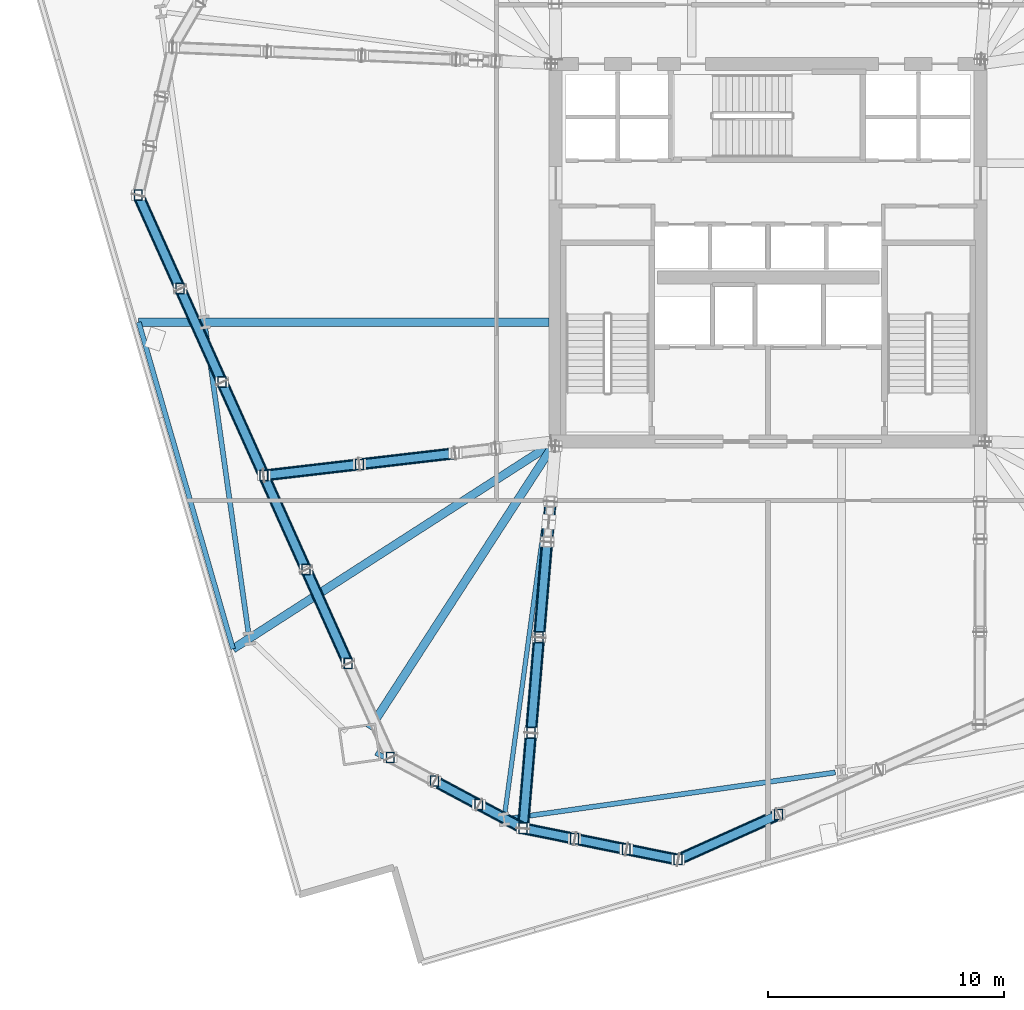
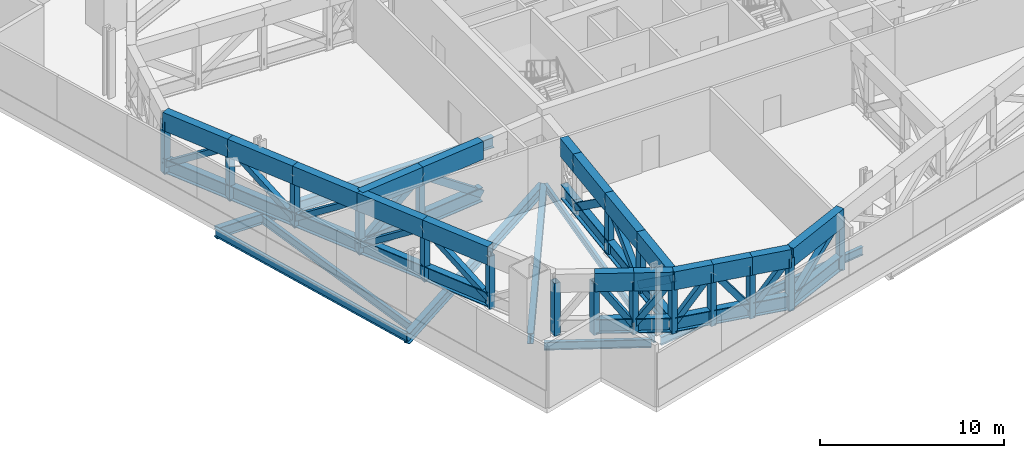
# One storey, part 2 of 19: 67 members, 8 beams.
"""IFC4 building model written with IfcOpenShell, lengths in metres."""

import ifcopenshell
import ifcopenshell.guid

model = None  # the IFC model being written
_history = None  # IfcOwnerHistory: only IFC2X3 demands one
_inside = {}  # id of a spatial element -> (the spatial element, [elements in it])
_under = {}  # id of a project, library or spatial element -> (it, [spatial elements below it])
_declared = {}  # id of a project -> (the project, [libraries it declares])
_typed = {}  # id of a type object -> (the type object, [elements of that type])
_made_of = {}  # id of a material, layer set ... -> (it, [elements and type objects made of it])


def new_model(schema):
    """Start an empty IFC model of exactly this schema.

    Asked for "IFC4X3", IfcOpenShell would pick the latest addendum, in which some entities
    have other attributes; the version numbers below select the first issue.
    IFC2X3 requires an IfcOwnerHistory on every rooted entity: one is made here for all.
    """
    global model, _history
    if schema == "IFC4X3":
        model = ifcopenshell.file(schema_version=(4, 3, 0, 0))
    else:
        model = ifcopenshell.file(schema=schema)
    _inside.clear()
    _under.clear()
    _declared.clear()
    _typed.clear()
    _made_of.clear()
    _history = None
    if model.schema == "IFC2X3":
        org = make("IfcOrganization", Name="unknown")
        user = make(
            "IfcPersonAndOrganization",
            ThePerson=make("IfcPerson", FamilyName="unknown"),
            TheOrganization=org,
        )
        app = make(
            "IfcApplication",
            ApplicationDeveloper=org,
            Version="unknown",
            ApplicationFullName="unknown",
            ApplicationIdentifier="unknown",
        )
        _history = make(
            "IfcOwnerHistory",
            OwningUser=user,
            OwningApplication=app,
            ChangeAction="ADDED",
            CreationDate=0,
        )
    return model


def make(cls, **values):
    """One entity of the class cls with the attributes given. An attribute that is None is left unset."""
    return model.create_entity(
        cls, **{name: value for name, value in values.items() if value is not None}
    )


def rooted(cls, **values):
    """An entity with a GlobalId (a new one), such as an element, a storey or a relation."""
    return make(cls, GlobalId=ifcopenshell.guid.new(), OwnerHistory=_history, **values)


def si_unit(unit_type, name, prefix=None):
    """IfcSIUnit, for example si_unit("LENGTHUNIT", "METRE", prefix="MILLI")."""
    return make("IfcSIUnit", UnitType=unit_type, Prefix=prefix, Name=name)


def assignment(units):
    """IfcUnitAssignment: the units of a project."""
    return None if units is None else make("IfcUnitAssignment", Units=units)


def point(xyz):
    """IfcCartesianPoint."""
    return None if xyz is None else make("IfcCartesianPoint", Coordinates=xyz)


def direction(xyz):
    """IfcDirection."""
    return None if xyz is None else make("IfcDirection", DirectionRatios=xyz)


def frame(location, z_axis=None, x_axis=None):
    """IfcAxis2Placement3D, a coordinate frame: its origin and axes. An axis left out is left unset."""
    return make(
        "IfcAxis2Placement3D",
        Location=point(location),
        Axis=direction(z_axis),
        RefDirection=direction(x_axis),
    )


def frame_2d(location, x_axis=None):
    """IfcAxis2Placement2D, a coordinate frame in the plane: its origin and x axis."""
    return make(
        "IfcAxis2Placement2D", Location=point(location), RefDirection=direction(x_axis)
    )


def origin():
    """The frame at (0, 0, 0) with its axes left unset."""
    return frame((0.0, 0.0, 0.0))


def origin_2d():
    """The frame at (0, 0) in the plane with its x axis left unset."""
    return frame_2d((0.0, 0.0))


def place(relative_to, where):
    """IfcLocalPlacement: puts the frame where relative to a parent placement (None: the world)."""
    return make(
        "IfcLocalPlacement", PlacementRelTo=relative_to, RelativePlacement=where
    )


def context(
    kind, dimensions, precision=None, world=None, true_north=None, identifier=None
):
    """IfcGeometricRepresentationContext, for example the 3D "Model" context."""
    return make(
        "IfcGeometricRepresentationContext",
        ContextIdentifier=identifier,
        ContextType=kind,
        CoordinateSpaceDimension=dimensions,
        Precision=precision,
        WorldCoordinateSystem=world,
        TrueNorth=true_north,
    )


def subcontext(parent, identifier, kind, view, scale=None):
    """IfcGeometricRepresentationSubContext, for example "Body" below "Model"."""
    return make(
        "IfcGeometricRepresentationSubContext",
        ContextIdentifier=identifier,
        ContextType=kind,
        ParentContext=parent,
        TargetScale=scale,
        TargetView=view,
    )


def project(units=None, contexts=None):
    """IfcProject with its units and contexts."""
    return rooted(
        "IfcProject",
        Name="project",
        RepresentationContexts=contexts,
        UnitsInContext=assignment(units),
    )


def spatial(cls, under=None, at=None, **own):
    """A site, building, storey or space (cls), placed at a placement, below another one or the project."""
    s = rooted(cls, ObjectPlacement=at, **own)
    if under is not None:
        _under.setdefault(under.id(), (under, []))[1].append(s)
    return s


def profile(cls, at=None, kind="AREA", **sizes):
    """A parametric profile (cls). Its sizes go by their IFC names, for example OverallWidth=200.0."""
    return make(cls, ProfileType=kind, Position=at, **sizes)


def hollow_rectangle(**sizes):
    """IfcRectangleHollowProfileDef."""
    return profile("IfcRectangleHollowProfileDef", **sizes)


def i_section(**sizes):
    """IfcIShapeProfileDef."""
    return profile("IfcIShapeProfileDef", **sizes)


def extrude(swept, where, along, depth):
    """IfcExtrudedAreaSolid: the profile swept, set in the frame where, extruded along a direction by depth."""
    return make(
        "IfcExtrudedAreaSolid",
        SweptArea=swept,
        Position=where,
        ExtrudedDirection=direction(along),
        Depth=depth,
    )


def shape(context_of_items, identifier, shape_type, items):
    """IfcShapeRepresentation: the items that make up one representation, for example the "Body"."""
    return make(
        "IfcShapeRepresentation",
        ContextOfItems=context_of_items,
        RepresentationIdentifier=identifier,
        RepresentationType=shape_type,
        Items=items,
    )


def material(Name=None, Category=None):
    """IfcMaterial."""
    return make("IfcMaterial", Name=Name, Category=Category)


def material_profile(
    of_material, cross_section, Name=None, Category=None, Priority=None
):
    """IfcMaterialProfile: a cross section and its material."""
    return make(
        "IfcMaterialProfile",
        Name=Name,
        Material=of_material,
        Profile=cross_section,
        Priority=Priority,
        Category=Category,
    )


def profile_set(profiles, Name=None, composite=None):
    """IfcMaterialProfileSet."""
    return make(
        "IfcMaterialProfileSet",
        Name=Name,
        MaterialProfiles=profiles,
        CompositeProfile=composite,
    )


def made_of(thing, what):
    """Note that an element or type object is made of a material, layer set ...; save() writes the relation."""
    if what is not None:
        _made_of.setdefault(what.id(), (what, []))[1].append(thing)
    return thing


def type_object(cls, material=None, **own):
    """A type object (cls), such as IfcWallType, which elements share."""
    return made_of(rooted(cls, **own), material)


def element(
    cls,
    number,
    at=None,
    inside=None,
    cuts=None,
    type_object=None,
    material=None,
    context=None,
    identifier="Body",
    shape_type=None,
    held_by="IfcProductDefinitionShape",
    body=None,
    shapes=None,
    **own,
):
    """One element of the class cls, such as IfcWall. Its Tag is "e" and its number.

    at: its placement. inside: the storey or other place that contains it. cuts: it is an
    opening in that element (IfcRelVoidsElement). A single representation is given by context,
    identifier, shape_type and body (its items); several are given by shapes. held_by: the class
    of the entity that holds the representations. save() writes the other relations.
    """
    e = rooted(cls, Tag="e%d" % number, ObjectPlacement=at, **own)
    if body is not None:
        shapes = [shape(context, identifier, shape_type, body)]
    if shapes is not None:
        e.Representation = make(held_by, Representations=shapes)
    if inside is not None:
        _inside.setdefault(inside.id(), (inside, []))[1].append(e)
    if cuts is not None:
        rooted(
            "IfcRelVoidsElement", RelatingBuildingElement=cuts, RelatedOpeningElement=e
        )
    if type_object is not None:
        _typed.setdefault(type_object.id(), (type_object, []))[1].append(e)
    return made_of(e, material)


def aggregate(whole, parts):
    """IfcRelAggregates: a whole, such as a stair, and the parts it consists of."""
    return rooted("IfcRelAggregates", RelatingObject=whole, RelatedObjects=parts)


def save(model, path):
    """Write the relations noted so far, then the file.

    IfcRelAggregates (storeys below a building ...), IfcRelContainedInSpatialStructure (elements
    in a storey), IfcRelDefinesByType, IfcRelAssociatesMaterial and IfcRelDeclares: one each for
    every whole, place, type object, material and project.
    """
    for whole, parts in _under.values():
        aggregate(whole, parts)
    for where, things in _inside.values():
        rooted(
            "IfcRelContainedInSpatialStructure",
            RelatedElements=things,
            RelatingStructure=where,
        )
    for kind, things in _typed.values():
        rooted("IfcRelDefinesByType", RelatedObjects=things, RelatingType=kind)
    for what, things in _made_of.values():
        rooted("IfcRelAssociatesMaterial", RelatedObjects=things, RelatingMaterial=what)
    for by, libraries in _declared.values():
        rooted("IfcRelDeclares", RelatingContext=by, RelatedDefinitions=libraries)
    model.write(path)


model = new_model("IFC4")

# Units and contexts
model_context = context("Model", 3, precision=1e-05, world=origin(), true_north=direction((0.0, 1.0)))
body_context = subcontext(model_context, "Body", "Model", "MODEL_VIEW")
ifc_project = project(units=[si_unit("LENGTHUNIT", "METRE"), si_unit("AREAUNIT", "SQUARE_METRE"), si_unit("VOLUMEUNIT", "CUBIC_METRE"), si_unit("PLANEANGLEUNIT", "RADIAN"), si_unit("MASSUNIT", "GRAM", prefix="KILO")], contexts=[model_context])

# Site, building, storey
site_placement = place(None, origin())
site = spatial("IfcSite", under=ifc_project, at=site_placement, CompositionType="ELEMENT")
building_placement = place(site_placement, origin())
building = spatial("IfcBuilding", under=site, at=building_placement, Name="Haldenkirk Collegiate Tower", CompositionType="ELEMENT")
storey_placement = place(building_placement, frame((0.0, 0.0, 81.449951171875)))
storey = spatial("IfcBuildingStorey", under=building, at=storey_placement, Name="L19", CompositionType="ELEMENT", Elevation=81.449951171875)

# Beams
ifc_material_1 = material(Name="Steel ASTM A992 Grade 50", Category="steel")
ifc_material_profile_1 = material_profile(ifc_material_1, i_section(OverallWidth=0.35498046875, OverallDepth=0.696044921875, WebThickness=0.015380859375, FlangeThickness=0.02490234375, at=origin_2d()), Name="W27X146")
ifc_profile_set_1 = profile_set([ifc_material_profile_1], Name="Steel ASTM A992 Grade 50")
beam_type_1 = type_object("IfcBeamType", Name="BM-GIRDER-W27X146", PredefinedType="BEAM", material=ifc_profile_set_1)
beam_1_placement = place(storey_placement, frame((19.1201171875, 5.826416015625, -0.758056640625), z_axis=(0.54339434448, 0.839477567531, 0.0), x_axis=(-0.839477567531, 0.54339434448, 0.0)))
element("IfcBeam", 1, at=beam_1_placement, inside=storey, type_object=beam_type_1, Name="L19 primary floor girder 01", PredefinedType="BEAM", context=body_context, shape_type="SweptSolid", body=[
    extrude(i_section(OverallWidth=0.35498046875, OverallDepth=0.696044921875, WebThickness=0.015380859375, FlangeThickness=0.02490234375, at=origin_2d()), origin(), (0.0, 0.0, 1.0), 14.221435546875),
])
beam_2_placement = place(storey_placement, frame((9.341796875, 23.052978515625, -0.758056640625), z_axis=(1.0, 0.0, 0.0), x_axis=(0.0, 1.0, 0.0)))
element("IfcBeam", 2, at=beam_2_placement, inside=storey, type_object=beam_type_1, Name="L19 primary floor girder 15", PredefinedType="BEAM", context=body_context, shape_type="SweptSolid", body=[
    extrude(i_section(OverallWidth=0.35498046875, OverallDepth=0.696044921875, WebThickness=0.015380859375, FlangeThickness=0.02490234375, at=origin_2d()), origin(), (0.0, 0.0, 1.0), 17.378173828125),
])
beam_3_placement = place(storey_placement, frame((13.335693359375, 9.2158203125, -0.758056640625), z_axis=(0.841176487832, 0.540760683037, 0.0), x_axis=(-0.540760683037, 0.841176487832, 0.0)))
element("IfcBeam", 3, at=beam_3_placement, inside=storey, type_object=beam_type_1, Name="L19 primary floor girder 16", PredefinedType="BEAM", context=body_context, shape_type="SweptSolid", body=[
    extrude(i_section(OverallWidth=0.35498046875, OverallDepth=0.696044921875, WebThickness=0.015380859375, FlangeThickness=0.02490234375, at=origin_2d()), origin(), (0.0, 0.0, 1.0), 15.964111328125),
])
ifc_material_profile_2 = material_profile(ifc_material_1, i_section(OverallWidth=0.19189453125, OverallDepth=0.462890625, WebThickness=0.010498046875, FlangeThickness=0.017578125, at=origin_2d()), Name="W18X60")
ifc_profile_set_2 = profile_set([ifc_material_profile_2], Name="Steel ASTM A992 Grade 50")
beam_type_2 = type_object("IfcBeamType", Name="BM-JOIST-W18X60", PredefinedType="JOIST", material=ifc_profile_set_2)
beam_4_placement = place(storey_placement, frame((24.850830078125, 2.25927734375, -0.641357421875), z_axis=(0.135282136316, 0.99080711725, 0.0), x_axis=(-0.99080711725, 0.135282136316, 0.0)))
element("IfcBeam", 4, at=beam_4_placement, inside=storey, type_object=beam_type_2, Name="L19 composite floor joist 05", PredefinedType="JOIST", context=body_context, shape_type="SweptSolid", body=[
    extrude(i_section(OverallWidth=0.19189453125, OverallDepth=0.462890625, WebThickness=0.010498046875, FlangeThickness=0.017578125, at=origin_2d()), origin(), (0.0, 0.0, 1.0), 15.60693359375),
])
ifc_material_profile_3 = material_profile(ifc_material_1, i_section(OverallWidth=0.2119140625, OverallDepth=0.5439453125, WebThickness=0.01318359375, FlangeThickness=0.021240234375, at=origin_2d()), Name="W21X83")
ifc_profile_set_3 = profile_set([ifc_material_profile_3], Name="Steel ASTM A992 Grade 50")
beam_type_3 = type_object("IfcBeamType", Name="BM-SPANDREL-W21X83", PredefinedType="SPANDREL", material=ifc_profile_set_3)
beam_5_placement = place(storey_placement, frame((19.388671875, 4.8125, -0.681884765625), z_axis=(0.887640153988, -0.460537682528, 0.0), x_axis=(0.460537682528, 0.887640153988, 0.0)))
element("IfcBeam", 5, at=beam_5_placement, inside=storey, type_object=beam_type_3, Name="L19 perimeter spandrel beam 01", PredefinedType="SPANDREL", context=body_context, shape_type="SweptSolid", body=[
    extrude(i_section(OverallWidth=0.2119140625, OverallDepth=0.5439453125, WebThickness=0.01318359375, FlangeThickness=0.021240234375, at=origin_2d()), origin(), (0.0, 0.0, 1.0), 5.848876953125),
])
beam_6_placement = place(storey_placement, frame((25.076904296875, 2.0341796875, -0.681884765625), z_axis=(0.990146197746, 0.14003752029, 0.0), x_axis=(-0.14003752029, 0.990146197746, 0.0)))
element("IfcBeam", 6, at=beam_6_placement, inside=storey, type_object=beam_type_3, Name="L19 perimeter spandrel beam 02", PredefinedType="SPANDREL", context=body_context, shape_type="SweptSolid", body=[
    extrude(i_section(OverallWidth=0.2119140625, OverallDepth=0.5439453125, WebThickness=0.01318359375, FlangeThickness=0.021240234375, at=origin_2d()), origin(), (0.0, 0.0, 1.0), 13.906982421875),
])
beam_7_placement = place(storey_placement, frame((12.16455078125, 22.791015625, -0.681884765625), z_axis=(0.140043508171, -0.990145350855, 0.0), x_axis=(0.990145350855, 0.140043508171, 0.0)))
element("IfcBeam", 7, at=beam_7_placement, inside=storey, type_object=beam_type_3, Name="L19 perimeter spandrel beam 15", PredefinedType="SPANDREL", context=body_context, shape_type="SweptSolid", body=[
    extrude(i_section(OverallWidth=0.2119140625, OverallDepth=0.5439453125, WebThickness=0.01318359375, FlangeThickness=0.021240234375, at=origin_2d()), origin(), (0.0, 0.0, 1.0), 13.0),
])
beam_8_placement = place(storey_placement, frame((9.341796875, 23.052978515625, -0.681884765625), z_axis=(0.277315037311, -0.960779043319, 0.0), x_axis=(0.960779043319, 0.277315037311, 0.0)))
element("IfcBeam", 8, at=beam_8_placement, inside=storey, type_object=beam_type_3, Name="L19 outer facade edge beam 4", PredefinedType="SPANDREL", context=body_context, shape_type="SweptSolid", body=[
    extrude(i_section(OverallWidth=0.2119140625, OverallDepth=0.5439453125, WebThickness=0.01318359375, FlangeThickness=0.021240234375, at=origin_2d()), origin(), (0.0, 0.0, 1.0), 14.402099609375),
])

# Members
ifc_material_2 = material(Name="Steel ASTM A572 Grade 50", Category="steel")
ifc_material_profile_4 = material_profile(ifc_material_2, hollow_rectangle(XDim=0.5, YDim=1.199951171875, WallThickness=0.050048828125, at=origin_2d()), Name="BOX1200X500X50")
ifc_profile_set_4 = profile_set([ifc_material_profile_4], Name="Steel ASTM A572 Grade 50")
member_type_1 = type_object("IfcMemberType", Name="MBR-CHORD-BOX1200", PredefinedType="CHORD", material=ifc_profile_set_4)
member_1_placement = place(storey_placement, frame((26.78466796875, 15.449951171875, 3.489990234375), z_axis=(-0.084102529775, -0.996457106194, 0.0), x_axis=(0.996457106194, -0.084102529775, 0.0)))
element("IfcMember", 9, at=member_1_placement, inside=storey, type_object=member_type_1, Name="Outrigger Truss L19 Radial 01 top chord 2", PredefinedType="CHORD", context=body_context, shape_type="SweptSolid", body=[
    extrude(hollow_rectangle(XDim=0.5, YDim=1.199951171875, WallThickness=0.050048828125, at=origin_2d()), origin(), (0.0, 0.0, 1.0), 1.701171875),
])
for number, where, z_axis, x_axis, name in (
    (10, (26.6416015625, 13.7548828125, 3.489990234375), (-0.084185033794, -0.996450139287, 0.0), (0.996450139287, -0.084185033794, 0.0), "Outrigger Truss L19 Radial 01 top chord 3"),
    (11, (26.2998046875, 9.709228515625, 3.489990234375), (-0.084125327338, -0.996455181782, 0.0), (0.996455181782, -0.084125327338, 0.0), "Outrigger Truss L19 Radial 01 top chord 4"),
    (12, (25.958251953125, 5.66357421875, 3.489990234375), (-0.084125327338, -0.996455181782, 0.0), (0.996455181782, -0.084125327338, 0.0), "Outrigger Truss L19 Radial 01 top chord 5"),
):
    element("IfcMember", number, at=place(storey_placement, frame(where, z_axis=z_axis, x_axis=x_axis)), inside=storey, type_object=member_type_1, Name=name, PredefinedType="CHORD", context=body_context, shape_type="SweptSolid", body=[
        extrude(hollow_rectangle(XDim=0.5, YDim=1.199951171875, WallThickness=0.050048828125, at=origin_2d()), origin(), (0.0, 0.0, 1.0), 4.06005859375),
    ])
member_2_placement = place(storey_placement, frame((22.748291015625, 17.5048828125, 3.489990234375), z_axis=(-0.993289169005, -0.11565736785, 0.0), x_axis=(0.11565736785, -0.993289169005, 0.0)))
element("IfcMember", 13, at=member_2_placement, inside=storey, type_object=member_type_1, Name="Outrigger Truss L19 Radial 08 top chord 3", PredefinedType="CHORD", context=body_context, shape_type="SweptSolid", body=[
    extrude(hollow_rectangle(XDim=0.5, YDim=1.199951171875, WallThickness=0.050048828125, at=origin_2d()), origin(), (0.0, 0.0, 1.0), 4.080322265625),
])
member_3_placement = place(storey_placement, frame((18.6953125, 17.032958984375, 3.489990234375), z_axis=(-0.993281492352, -0.115723277482, 0.0), x_axis=(0.115723277482, -0.993281492352, 0.0)))
element("IfcMember", 14, at=member_3_placement, inside=storey, type_object=member_type_1, Name="Outrigger Truss L19 Radial 08 top chord 4", PredefinedType="CHORD", context=body_context, shape_type="SweptSolid", body=[
    extrude(hollow_rectangle(XDim=0.5, YDim=1.199951171875, WallThickness=0.050048828125, at=origin_2d()), origin(), (0.0, 0.0, 1.0), 4.080078125),
])
for number, where, z_axis, x_axis, name in (
    (15, (25.61669921875, 1.617919921875, 3.489990234375), (0.980064236837, -0.198680878984, 0.0), (0.198680878984, 0.980064236837, 0.0), "Belt Truss L19-01 top chord 1"),
    (16, (27.804931640625, 1.17431640625, 3.489990234375), (0.980064236837, -0.198680878984, 0.0), (0.198680878984, 0.980064236837, 0.0), "Belt Truss L19-01 top chord 2"),
    (17, (29.9931640625, 0.730712890625, 3.489990234375), (0.980085523441, -0.19857584632, 0.0), (0.19857584632, 0.980085523441, 0.0), "Belt Truss L19-01 top chord 3"),
):
    element("IfcMember", number, at=place(storey_placement, frame(where, z_axis=z_axis, x_axis=x_axis)), inside=storey, type_object=member_type_1, Name=name, PredefinedType="CHORD", context=body_context, shape_type="SweptSolid", body=[
        extrude(hollow_rectangle(XDim=0.5, YDim=1.199951171875, WallThickness=0.050048828125, at=origin_2d()), origin(), (0.0, 0.0, 1.0), 2.232666015625),
    ])
member_4_placement = place(storey_placement, frame((32.181396484375, 0.287353515625, 3.489990234375), z_axis=(0.91249114781, 0.409096449714, 0.0), x_axis=(-0.409096449714, 0.91249114781, 0.0)))
element("IfcMember", 18, at=member_4_placement, inside=storey, type_object=member_type_1, Name="Belt Truss L19-02 top chord 1", PredefinedType="CHORD", context=body_context, shape_type="SweptSolid", body=[
    extrude(hollow_rectangle(XDim=0.5, YDim=1.199951171875, WallThickness=0.050048828125, at=origin_2d()), origin(), (0.0, 0.0, 1.0), 4.66796875),
])
member_5_placement = place(storey_placement, frame((9.317626953125, 28.436767578125, 3.489990234375), z_axis=(0.409133464518, -0.91247455209, 0.0), x_axis=(0.91247455209, 0.409133464518, 0.0)))
element("IfcMember", 19, at=member_5_placement, inside=storey, type_object=member_type_1, Name="Belt Truss L19-14 top chord 1", PredefinedType="CHORD", context=body_context, shape_type="SweptSolid", body=[
    extrude(hollow_rectangle(XDim=0.5, YDim=1.199951171875, WallThickness=0.050048828125, at=origin_2d()), origin(), (0.0, 0.0, 1.0), 4.338134765625),
])
member_6_placement = place(storey_placement, frame((11.092529296875, 24.478271484375, 3.489990234375), z_axis=(0.409159309645, -0.912462963265, 0.0), x_axis=(0.912462963265, 0.409159309645, 0.0)))
element("IfcMember", 20, at=member_6_placement, inside=storey, type_object=member_type_1, Name="Belt Truss L19-14 top chord 2", PredefinedType="CHORD", context=body_context, shape_type="SweptSolid", body=[
    extrude(hollow_rectangle(XDim=0.5, YDim=1.199951171875, WallThickness=0.050048828125, at=origin_2d()), origin(), (0.0, 0.0, 1.0), 4.338623046875),
])
member_7_placement = place(storey_placement, frame((12.86767578125, 20.51953125, 3.489990234375), z_axis=(0.409112455957, -0.912483971575, 0.0), x_axis=(0.912483971575, 0.409112455957, 0.0)))
element("IfcMember", 21, at=member_7_placement, inside=storey, type_object=member_type_1, Name="Belt Truss L19-14 top chord 3", PredefinedType="CHORD", context=body_context, shape_type="SweptSolid", body=[
    extrude(hollow_rectangle(XDim=0.5, YDim=1.199951171875, WallThickness=0.050048828125, at=origin_2d()), origin(), (0.0, 0.0, 1.0), 4.33837890625),
])
member_8_placement = place(storey_placement, frame((14.642578125, 16.560791015625, 3.489990234375), z_axis=(0.409133050594, -0.912474737684, 0.0), x_axis=(0.912474737684, 0.409133050594, 0.0)))
element("IfcMember", 22, at=member_8_placement, inside=storey, type_object=member_type_1, Name="Belt Truss L19-15 top chord 1", PredefinedType="CHORD", context=body_context, shape_type="SweptSolid", body=[
    extrude(hollow_rectangle(XDim=0.5, YDim=1.199951171875, WallThickness=0.050048828125, at=origin_2d()), origin(), (0.0, 0.0, 1.0), 4.361572265625),
])
member_9_placement = place(storey_placement, frame((16.427001953125, 12.5810546875, 3.489990234375), z_axis=(0.409112154166, -0.912484106883, 0.0), x_axis=(0.912484106883, 0.409112154166, 0.0)))
element("IfcMember", 23, at=member_9_placement, inside=storey, type_object=member_type_1, Name="Belt Truss L19-15 top chord 2", PredefinedType="CHORD", context=body_context, shape_type="SweptSolid", body=[
    extrude(hollow_rectangle(XDim=0.5, YDim=1.199951171875, WallThickness=0.050048828125, at=origin_2d()), origin(), (0.0, 0.0, 1.0), 4.36181640625),
])
for number, where, z_axis, x_axis, name in (
    (24, (21.869384765625, 3.6201171875, 3.489990234375), (0.881961322467, -0.471321785697, 0.0), (0.471321785697, 0.881961322467, 0.0), "Belt Truss L19-16 top chord 2"),
    (25, (23.742919921875, 2.618896484375, 3.489990234375), (0.882034613395, -0.471184614322, 0.0), (0.471184614322, 0.882034613395, 0.0), "Belt Truss L19-16 top chord 3"),
):
    element("IfcMember", number, at=place(storey_placement, frame(where, z_axis=z_axis, x_axis=x_axis)), inside=storey, type_object=member_type_1, Name=name, PredefinedType="CHORD", context=body_context, shape_type="SweptSolid", body=[
        extrude(hollow_rectangle(XDim=0.5, YDim=1.199951171875, WallThickness=0.050048828125, at=origin_2d()), origin(), (0.0, 0.0, 1.0), 2.124267578125),
    ])
ifc_material_3 = material(Name="Steel ASTM A913 Grade 65", Category="steel")
ifc_material_profile_5 = material_profile(ifc_material_3, i_section(OverallWidth=0.423095703125, OverallDepth=0.947998046875, WebThickness=0.02392578125, FlangeThickness=0.042724609375, at=origin_2d()), Name="W36X302")
ifc_profile_set_5 = profile_set([ifc_material_profile_5], Name="Steel ASTM A913 Grade 65")
member_type_2 = type_object("IfcMemberType", Name="MBR-CHORD-W36X302", PredefinedType="CHORD", material=ifc_profile_set_5)
member_10_placement = place(storey_placement, frame((26.78466796875, 15.449951171875, 0.550048828125), z_axis=(-0.084102529775, -0.996457106194, 0.0), x_axis=(0.996457106194, -0.084102529775, 0.0)))
element("IfcMember", 26, at=member_10_placement, inside=storey, type_object=member_type_2, Name="Outrigger Truss L19 Radial 01 bottom chord 2", PredefinedType="CHORD", context=body_context, shape_type="SweptSolid", body=[
    extrude(i_section(OverallWidth=0.423095703125, OverallDepth=0.947998046875, WebThickness=0.02392578125, FlangeThickness=0.042724609375, at=origin_2d()), origin(), (0.0, 0.0, 1.0), 1.701171875),
])
for number, where, z_axis, x_axis, name in (
    (27, (26.6416015625, 13.7548828125, 0.550048828125), (-0.084185033794, -0.996450139287, 0.0), (0.996450139287, -0.084185033794, 0.0), "Outrigger Truss L19 Radial 01 bottom chord 3"),
    (28, (26.2998046875, 9.709228515625, 0.550048828125), (-0.084125327338, -0.996455181782, 0.0), (0.996455181782, -0.084125327338, 0.0), "Outrigger Truss L19 Radial 01 bottom chord 4"),
    (29, (25.958251953125, 5.66357421875, 0.550048828125), (-0.084125327338, -0.996455181782, 0.0), (0.996455181782, -0.084125327338, 0.0), "Outrigger Truss L19 Radial 01 bottom chord 5"),
):
    element("IfcMember", number, at=place(storey_placement, frame(where, z_axis=z_axis, x_axis=x_axis)), inside=storey, type_object=member_type_2, Name=name, PredefinedType="CHORD", context=body_context, shape_type="SweptSolid", body=[
        extrude(i_section(OverallWidth=0.423095703125, OverallDepth=0.947998046875, WebThickness=0.02392578125, FlangeThickness=0.042724609375, at=origin_2d()), origin(), (0.0, 0.0, 1.0), 4.06005859375),
    ])
member_11_placement = place(storey_placement, frame((22.748291015625, 17.5048828125, 0.550048828125), z_axis=(-0.993289169005, -0.11565736785, 0.0), x_axis=(0.11565736785, -0.993289169005, 0.0)))
element("IfcMember", 30, at=member_11_placement, inside=storey, type_object=member_type_2, Name="Outrigger Truss L19 Radial 08 bottom chord 3", PredefinedType="CHORD", context=body_context, shape_type="SweptSolid", body=[
    extrude(i_section(OverallWidth=0.423095703125, OverallDepth=0.947998046875, WebThickness=0.02392578125, FlangeThickness=0.042724609375, at=origin_2d()), origin(), (0.0, 0.0, 1.0), 4.080322265625),
])
member_12_placement = place(storey_placement, frame((18.6953125, 17.032958984375, 0.550048828125), z_axis=(-0.993281492352, -0.115723277482, 0.0), x_axis=(0.115723277482, -0.993281492352, 0.0)))
element("IfcMember", 31, at=member_12_placement, inside=storey, type_object=member_type_2, Name="Outrigger Truss L19 Radial 08 bottom chord 4", PredefinedType="CHORD", context=body_context, shape_type="SweptSolid", body=[
    extrude(i_section(OverallWidth=0.423095703125, OverallDepth=0.947998046875, WebThickness=0.02392578125, FlangeThickness=0.042724609375, at=origin_2d()), origin(), (0.0, 0.0, 1.0), 4.080078125),
])
for number, where, z_axis, x_axis, name in (
    (32, (25.61669921875, 1.617919921875, 0.550048828125), (0.980064236837, -0.198680878984, 0.0), (0.198680878984, 0.980064236837, 0.0), "Belt Truss L19-01 bottom chord 1"),
    (33, (27.804931640625, 1.17431640625, 0.550048828125), (0.980064236837, -0.198680878984, 0.0), (0.198680878984, 0.980064236837, 0.0), "Belt Truss L19-01 bottom chord 2"),
    (34, (29.9931640625, 0.730712890625, 0.550048828125), (0.980085523441, -0.19857584632, 0.0), (0.19857584632, 0.980085523441, 0.0), "Belt Truss L19-01 bottom chord 3"),
):
    element("IfcMember", number, at=place(storey_placement, frame(where, z_axis=z_axis, x_axis=x_axis)), inside=storey, type_object=member_type_2, Name=name, PredefinedType="CHORD", context=body_context, shape_type="SweptSolid", body=[
        extrude(i_section(OverallWidth=0.423095703125, OverallDepth=0.947998046875, WebThickness=0.02392578125, FlangeThickness=0.042724609375, at=origin_2d()), origin(), (0.0, 0.0, 1.0), 2.232666015625),
    ])
member_13_placement = place(storey_placement, frame((32.181396484375, 0.287353515625, 0.550048828125), z_axis=(0.91249114781, 0.409096449714, 0.0), x_axis=(-0.409096449714, 0.91249114781, 0.0)))
element("IfcMember", 35, at=member_13_placement, inside=storey, type_object=member_type_2, Name="Belt Truss L19-02 bottom chord 1", PredefinedType="CHORD", context=body_context, shape_type="SweptSolid", body=[
    extrude(i_section(OverallWidth=0.423095703125, OverallDepth=0.947998046875, WebThickness=0.02392578125, FlangeThickness=0.042724609375, at=origin_2d()), origin(), (0.0, 0.0, 1.0), 4.66796875),
])
member_14_placement = place(storey_placement, frame((9.317626953125, 28.436767578125, 0.550048828125), z_axis=(0.409133464518, -0.91247455209, 0.0), x_axis=(0.91247455209, 0.409133464518, 0.0)))
element("IfcMember", 36, at=member_14_placement, inside=storey, type_object=member_type_2, Name="Belt Truss L19-14 bottom chord 1", PredefinedType="CHORD", context=body_context, shape_type="SweptSolid", body=[
    extrude(i_section(OverallWidth=0.423095703125, OverallDepth=0.947998046875, WebThickness=0.02392578125, FlangeThickness=0.042724609375, at=origin_2d()), origin(), (0.0, 0.0, 1.0), 4.338134765625),
])
member_15_placement = place(storey_placement, frame((11.092529296875, 24.478271484375, 0.550048828125), z_axis=(0.409159309645, -0.912462963265, 0.0), x_axis=(0.912462963265, 0.409159309645, 0.0)))
element("IfcMember", 37, at=member_15_placement, inside=storey, type_object=member_type_2, Name="Belt Truss L19-14 bottom chord 2", PredefinedType="CHORD", context=body_context, shape_type="SweptSolid", body=[
    extrude(i_section(OverallWidth=0.423095703125, OverallDepth=0.947998046875, WebThickness=0.02392578125, FlangeThickness=0.042724609375, at=origin_2d()), origin(), (0.0, 0.0, 1.0), 4.338623046875),
])
member_16_placement = place(storey_placement, frame((12.86767578125, 20.51953125, 0.550048828125), z_axis=(0.409112455957, -0.912483971575, 0.0), x_axis=(0.912483971575, 0.409112455957, 0.0)))
element("IfcMember", 38, at=member_16_placement, inside=storey, type_object=member_type_2, Name="Belt Truss L19-14 bottom chord 3", PredefinedType="CHORD", context=body_context, shape_type="SweptSolid", body=[
    extrude(i_section(OverallWidth=0.423095703125, OverallDepth=0.947998046875, WebThickness=0.02392578125, FlangeThickness=0.042724609375, at=origin_2d()), origin(), (0.0, 0.0, 1.0), 4.33837890625),
])
member_17_placement = place(storey_placement, frame((14.642578125, 16.560791015625, 0.550048828125), z_axis=(0.409133050594, -0.912474737684, 0.0), x_axis=(0.912474737684, 0.409133050594, 0.0)))
element("IfcMember", 39, at=member_17_placement, inside=storey, type_object=member_type_2, Name="Belt Truss L19-15 bottom chord 1", PredefinedType="CHORD", context=body_context, shape_type="SweptSolid", body=[
    extrude(i_section(OverallWidth=0.423095703125, OverallDepth=0.947998046875, WebThickness=0.02392578125, FlangeThickness=0.042724609375, at=origin_2d()), origin(), (0.0, 0.0, 1.0), 4.361572265625),
])
member_18_placement = place(storey_placement, frame((16.427001953125, 12.5810546875, 0.550048828125), z_axis=(0.409112154166, -0.912484106883, 0.0), x_axis=(0.912484106883, 0.409112154166, 0.0)))
element("IfcMember", 40, at=member_18_placement, inside=storey, type_object=member_type_2, Name="Belt Truss L19-15 bottom chord 2", PredefinedType="CHORD", context=body_context, shape_type="SweptSolid", body=[
    extrude(i_section(OverallWidth=0.423095703125, OverallDepth=0.947998046875, WebThickness=0.02392578125, FlangeThickness=0.042724609375, at=origin_2d()), origin(), (0.0, 0.0, 1.0), 4.36181640625),
])
for number, where, z_axis, x_axis, name in (
    (41, (21.869384765625, 3.6201171875, 0.550048828125), (0.881961322467, -0.471321785697, 0.0), (0.471321785697, 0.881961322467, 0.0), "Belt Truss L19-16 bottom chord 2"),
    (42, (23.742919921875, 2.618896484375, 0.550048828125), (0.882034613395, -0.471184614322, 0.0), (0.471184614322, 0.882034613395, 0.0), "Belt Truss L19-16 bottom chord 3"),
):
    element("IfcMember", number, at=place(storey_placement, frame(where, z_axis=z_axis, x_axis=x_axis)), inside=storey, type_object=member_type_2, Name=name, PredefinedType="CHORD", context=body_context, shape_type="SweptSolid", body=[
        extrude(i_section(OverallWidth=0.423095703125, OverallDepth=0.947998046875, WebThickness=0.02392578125, FlangeThickness=0.042724609375, at=origin_2d()), origin(), (0.0, 0.0, 1.0), 2.124267578125),
    ])
ifc_material_profile_6 = material_profile(ifc_material_2, hollow_rectangle(XDim=0.35009765625, YDim=0.35009765625, WallThickness=0.01611328125, at=origin_2d()), Name="HSS350X350X16")
ifc_profile_set_6 = profile_set([ifc_material_profile_6], Name="Steel ASTM A572 Grade 50")
member_type_3 = type_object("IfcMemberType", Name="MBR-TRUSSDIAG-HSS350X350X16", PredefinedType="BRACE", material=ifc_profile_set_6)
for number, where, z_axis, x_axis, name in (
    (43, (25.61669921875, 1.617919921875, 0.550048828125), (0.592749234316, -0.120163489764, 0.796372451147), (0.198680878984, 0.980064236837, 0.0), "Belt Truss L19-01 web diagonal 1"),
    (44, (27.804931640625, 1.17431640625, 3.489990234375), (0.592749234316, -0.120163489764, -0.796372451147), (0.198680878984, 0.980064236837, 0.0), "Belt Truss L19-01 web diagonal 2"),
    (45, (29.9931640625, 0.730712890625, 0.550048828125), (0.592753943512, -0.120098310992, 0.796378778062), (0.19857584632, 0.980085523441, 0.0), "Belt Truss L19-01 web diagonal 3"),
):
    element("IfcMember", number, at=place(storey_placement, frame(where, z_axis=z_axis, x_axis=x_axis)), inside=storey, type_object=member_type_3, Name=name, PredefinedType="BRACE", context=body_context, shape_type="SweptSolid", body=[
        extrude(hollow_rectangle(XDim=0.35009765625, YDim=0.35009765625, WallThickness=0.01611328125, at=origin_2d()), origin(), (0.0, 0.0, 1.0), 3.691650390625),
    ])
member_19_placement = place(storey_placement, frame((32.181396484375, 0.287353515625, 0.550048828125), z_axis=(0.77211870584, 0.346163381503, 0.532919897732), x_axis=(-0.409096449714, 0.91249114781, 0.0)))
element("IfcMember", 46, at=member_19_placement, inside=storey, type_object=member_type_3, Name="Belt Truss L19-02 web diagonal 1", PredefinedType="BRACE", context=body_context, shape_type="SweptSolid", body=[
    extrude(hollow_rectangle(XDim=0.35009765625, YDim=0.35009765625, WallThickness=0.01611328125, at=origin_2d()), origin(), (0.0, 0.0, 1.0), 5.5166015625),
])
member_20_placement = place(storey_placement, frame((9.317626953125, 28.436767578125, 0.550048828125), z_axis=(0.338687130379, -0.755360815951, 0.561000058325), x_axis=(0.91247455209, 0.409133464518, 0.0)))
element("IfcMember", 47, at=member_20_placement, inside=storey, type_object=member_type_3, Name="Belt Truss L19-14 web diagonal 1", PredefinedType="BRACE", context=body_context, shape_type="SweptSolid", body=[
    extrude(hollow_rectangle(XDim=0.35009765625, YDim=0.35009765625, WallThickness=0.01611328125, at=origin_2d()), origin(), (0.0, 0.0, 1.0), 5.240478515625),
])
for number, where, z_axis, x_axis, name in (
    (48, (11.092529296875, 24.478271484375, 3.489990234375), (0.338716453213, -0.755368902331, -0.560971466042), (0.912462963265, 0.409159309645, 0.0), "Belt Truss L19-14 web diagonal 2"),
    (49, (12.86767578125, 20.51953125, 0.550048828125), (0.338675212255, -0.755380820731, 0.560980317191), (0.912483971575, 0.409112455957, 0.0), "Belt Truss L19-14 web diagonal 3"),
):
    element("IfcMember", number, at=place(storey_placement, frame(where, z_axis=z_axis, x_axis=x_axis)), inside=storey, type_object=member_type_3, Name=name, PredefinedType="BRACE", context=body_context, shape_type="SweptSolid", body=[
        extrude(hollow_rectangle(XDim=0.35009765625, YDim=0.35009765625, WallThickness=0.01611328125, at=origin_2d()), origin(), (0.0, 0.0, 1.0), 5.24072265625),
    ])
member_21_placement = place(storey_placement, frame((14.642578125, 16.560791015625, 0.550048828125), z_axis=(0.339255568767, -0.756629501502, 0.558943160364), x_axis=(0.912474737684, 0.409133050594, 0.0)))
element("IfcMember", 50, at=member_21_placement, inside=storey, type_object=member_type_3, Name="Belt Truss L19-15 web diagonal 1", PredefinedType="BRACE", context=body_context, shape_type="SweptSolid", body=[
    extrude(hollow_rectangle(XDim=0.35009765625, YDim=0.35009765625, WallThickness=0.01611328125, at=origin_2d()), origin(), (0.0, 0.0, 1.0), 5.259765625),
])
member_22_placement = place(storey_placement, frame((16.427001953125, 12.5810546875, 3.489990234375), z_axis=(0.339243654435, -0.756649343904, -0.558923530812), x_axis=(0.912484106883, 0.409112154166, 0.0)))
element("IfcMember", 51, at=member_22_placement, inside=storey, type_object=member_type_3, Name="Belt Truss L19-15 web diagonal 2", PredefinedType="BRACE", context=body_context, shape_type="SweptSolid", body=[
    extrude(hollow_rectangle(XDim=0.35009765625, YDim=0.35009765625, WallThickness=0.01611328125, at=origin_2d()), origin(), (0.0, 0.0, 1.0), 5.260009765625),
])
for number, where, z_axis, x_axis, name in (
    (52, (21.869384765625, 3.6201171875, 3.489990234375), (0.516538481714, -0.276039133895, -0.810549439249), (0.471321785697, 0.881961322467, 0.0), "Belt Truss L19-16 web diagonal 2"),
    (53, (23.742919921875, 2.618896484375, 0.550048828125), (0.516597426932, -0.275967355104, 0.810536314673), (0.471184614322, 0.882034613395, 0.0), "Belt Truss L19-16 web diagonal 3"),
):
    element("IfcMember", number, at=place(storey_placement, frame(where, z_axis=z_axis, x_axis=x_axis)), inside=storey, type_object=member_type_3, Name=name, PredefinedType="BRACE", context=body_context, shape_type="SweptSolid", body=[
        extrude(hollow_rectangle(XDim=0.35009765625, YDim=0.35009765625, WallThickness=0.01611328125, at=origin_2d()), origin(), (0.0, 0.0, 1.0), 3.627197265625),
    ])
ifc_material_profile_7 = material_profile(ifc_material_2, hollow_rectangle(XDim=0.35009765625, YDim=0.449951171875, WallThickness=0.02197265625, at=origin_2d()), Name="HSS450X350X22")
ifc_profile_set_7 = profile_set([ifc_material_profile_7], Name="Steel ASTM A572 Grade 50")
member_type_4 = type_object("IfcMemberType", Name="MBR-TRUSSDIAG-HSS450X350X22", PredefinedType="BRACE", material=ifc_profile_set_7)
for number, where, z_axis, x_axis, name in (
    (54, (26.6416015625, 13.7548828125, 0.550048828125), (-0.068185859209, -0.807077052108, 0.586495797567), (0.996450139287, -0.084185033794, 0.0), "Outrigger Truss L19 Radial 01 web diagonal 3"),
    (55, (26.2998046875, 9.709228515625, 3.489990234375), (-0.068137381223, -0.807079731416, -0.586497744597), (0.996455181782, -0.084125327338, 0.0), "Outrigger Truss L19 Radial 01 web diagonal 4"),
    (56, (25.958251953125, 5.66357421875, 0.550048828125), (-0.068137381223, -0.807079731416, 0.586497744597), (0.996455181782, -0.084125327338, 0.0), "Outrigger Truss L19 Radial 01 web diagonal 5"),
):
    element("IfcMember", number, at=place(storey_placement, frame(where, z_axis=z_axis, x_axis=x_axis)), inside=storey, type_object=member_type_4, Name=name, PredefinedType="BRACE", context=body_context, shape_type="SweptSolid", body=[
        extrude(hollow_rectangle(XDim=0.35009765625, YDim=0.449951171875, WallThickness=0.02197265625, at=origin_2d()), origin(), (0.0, 0.0, 1.0), 5.0126953125),
    ])
member_23_placement = place(storey_placement, frame((22.748291015625, 17.5048828125, 0.550048828125), z_axis=(-0.805893295886, -0.093837223116, 0.584577258542), x_axis=(0.11565736785, -0.993289169005, 0.0)))
element("IfcMember", 57, at=member_23_placement, inside=storey, type_object=member_type_4, Name="Outrigger Truss L19 Radial 08 web diagonal 3", PredefinedType="BRACE", context=body_context, shape_type="SweptSolid", body=[
    extrude(hollow_rectangle(XDim=0.35009765625, YDim=0.449951171875, WallThickness=0.02197265625, at=origin_2d()), origin(), (0.0, 0.0, 1.0), 5.029296875),
])
member_24_placement = place(storey_placement, frame((18.6953125, 17.032958984375, 3.489990234375), z_axis=(-0.805872605932, -0.093889013245, -0.584597465099), x_axis=(0.115723277482, -0.993281492352, 0.0)))
element("IfcMember", 58, at=member_24_placement, inside=storey, type_object=member_type_4, Name="Outrigger Truss L19 Radial 08 web diagonal 4", PredefinedType="BRACE", context=body_context, shape_type="SweptSolid", body=[
    extrude(hollow_rectangle(XDim=0.35009765625, YDim=0.449951171875, WallThickness=0.02197265625, at=origin_2d()), origin(), (0.0, 0.0, 1.0), 5.029052734375),
])
ifc_material_profile_8 = material_profile(ifc_material_2, hollow_rectangle(XDim=0.35009765625, YDim=0.449951171875, WallThickness=0.02197265625, at=origin_2d()), Name="HSS450X350X22")
ifc_profile_set_8 = profile_set([ifc_material_profile_8], Name="Steel ASTM A572 Grade 50")
member_type_5 = type_object("IfcMemberType", Name="MBR-TRUSSPOST-HSS450X350X22", PredefinedType="POST", material=ifc_profile_set_8)
for number, where, z_axis, x_axis, name in (
    (59, (26.2998046875, 9.709228515625, 0.0), (0.0, 0.0, 1.0), (1.0, 0.0, 0.0), "Outrigger Truss L19 Radial 01 vertical post 4"),
    (60, (25.958251953125, 5.66357421875, 0.0), (0.0, 0.0, 1.0), (1.0, 0.0, 0.0), "Outrigger Truss L19 Radial 01 vertical post 5"),
    (61, (25.61669921875, 1.617919921875, 0.0), (0.0, 0.0, 1.0), (1.0, 0.0, 0.0), "Outrigger Truss L19 Radial 01 vertical post 6"),
    (62, (18.6953125, 17.032958984375, 0.0), (0.0, 0.0, 1.0), (1.0, 0.0, 0.0), "Outrigger Truss L19 Radial 08 vertical post 4"),
    (63, (14.642578125, 16.560791015625, 0.0), (0.0, 0.0, 1.0), (1.0, 0.0, 0.0), "Outrigger Truss L19 Radial 08 vertical post 5"),
    (64, (27.804931640625, 1.17431640625, 0.0), (0.0, 0.0, 1.0), (1.0, 0.0, 0.0), "Belt Truss L19-01 vertical post 2"),
    (65, (29.9931640625, 0.730712890625, 0.0), (0.0, 0.0, 1.0), (1.0, 0.0, 0.0), "Belt Truss L19-01 vertical post 3"),
    (66, (32.181396484375, 0.287353515625, 0.0), (0.0, 0.0, 1.0), (1.0, 0.0, 0.0), "Belt Truss L19-01 vertical post 4"),
    (67, (36.44091796875, 2.197021484375, 0.0), (0.0, 0.0, 1.0), (1.0, 0.0, 0.0), "Belt Truss L19-02 vertical post 2"),
    (68, (9.317626953125, 28.436767578125, 0.0), (0.0, 0.0, 1.0), (1.0, 0.0, 0.0), "Belt Truss L19-13 vertical post 4"),
    (69, (11.092529296875, 24.478271484375, 0.0), (0.0, 0.0, 1.0), (1.0, 0.0, 0.0), "Belt Truss L19-14 vertical post 2"),
    (70, (12.86767578125, 20.51953125, 0.0), (0.0, 0.0, 1.0), (1.0, 0.0, 0.0), "Belt Truss L19-14 vertical post 3"),
    (71, (16.427001953125, 12.5810546875, 0.0), (0.0, 0.0, 1.0), (1.0, 0.0, 0.0), "Belt Truss L19-15 vertical post 2"),
    (72, (18.21142578125, 8.60107421875, 0.0), (0.0, 0.0, 1.0), (1.0, 0.0, 0.0), "Belt Truss L19-15 vertical post 3"),
    (73, (19.995849609375, 4.62109375, 0.0), (0.0, 0.0, 1.0), (1.0, 0.0, 0.0), "Belt Truss L19-15 vertical post 4"),
    (74, (21.869384765625, 3.6201171875, 0.0), (0.0, 0.0, 1.0), (1.0, 0.0, 0.0), "Belt Truss L19-16 vertical post 2"),
    (75, (23.742919921875, 2.618896484375, 0.0), (0.0, 0.0, 1.0), (1.0, 0.0, 0.0), "Belt Truss L19-16 vertical post 3"),
):
    element("IfcMember", number, at=place(storey_placement, frame(where, z_axis=z_axis, x_axis=x_axis)), inside=storey, type_object=member_type_5, Name=name, PredefinedType="POST", context=body_context, shape_type="SweptSolid", body=[
        extrude(hollow_rectangle(XDim=0.35009765625, YDim=0.449951171875, WallThickness=0.02197265625, at=origin_2d()), origin(), (0.0, 0.0, 1.0), 3.489990234375),
    ])

save(model, "model.ifc")
